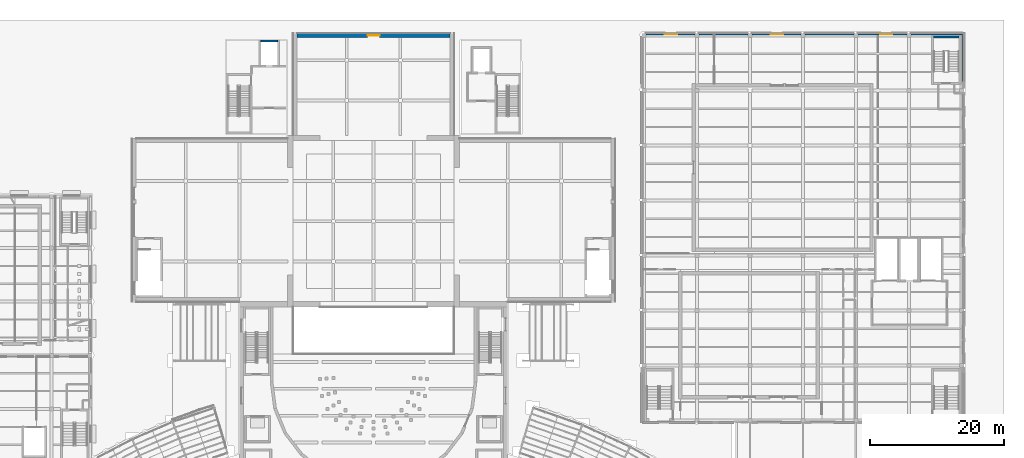
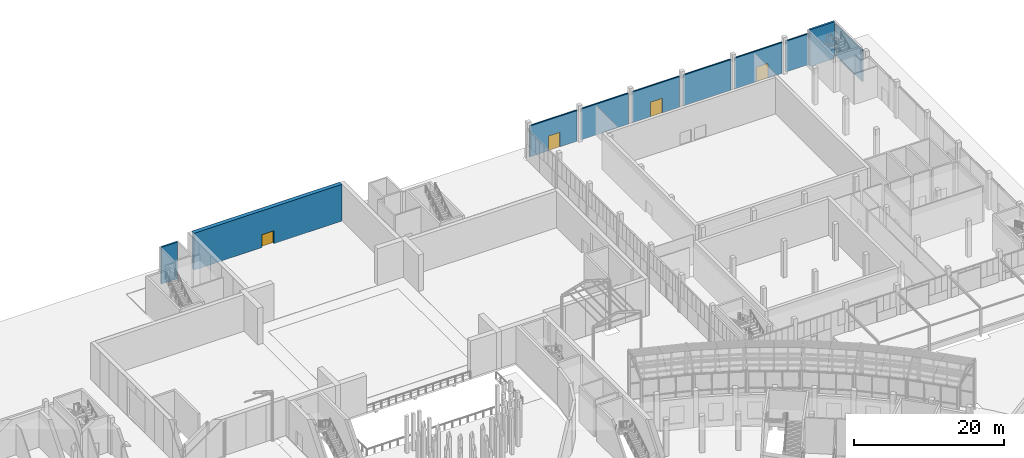
# One storey, part 104 of 155: 10 walls, 4 doors, 4 openings.
"""IFC4 building model written with IfcOpenShell, lengths in metres."""

import ifcopenshell
import ifcopenshell.guid

model = None  # the IFC model being written
_history = None  # IfcOwnerHistory: only IFC2X3 demands one
_inside = {}  # id of a spatial element -> (the spatial element, [elements in it])
_under = {}  # id of a project, library or spatial element -> (it, [spatial elements below it])
_declared = {}  # id of a project -> (the project, [libraries it declares])
_typed = {}  # id of a type object -> (the type object, [elements of that type])
_made_of = {}  # id of a material, layer set ... -> (it, [elements and type objects made of it])


def new_model(schema):
    """Start an empty IFC model of exactly this schema.

    Asked for "IFC4X3", IfcOpenShell would pick the latest addendum, in which some entities
    have other attributes; the version numbers below select the first issue.
    IFC2X3 requires an IfcOwnerHistory on every rooted entity: one is made here for all.
    """
    global model, _history
    if schema == "IFC4X3":
        model = ifcopenshell.file(schema_version=(4, 3, 0, 0))
    else:
        model = ifcopenshell.file(schema=schema)
    _inside.clear()
    _under.clear()
    _declared.clear()
    _typed.clear()
    _made_of.clear()
    _history = None
    if model.schema == "IFC2X3":
        org = make("IfcOrganization", Name="unknown")
        user = make(
            "IfcPersonAndOrganization",
            ThePerson=make("IfcPerson", FamilyName="unknown"),
            TheOrganization=org,
        )
        app = make(
            "IfcApplication",
            ApplicationDeveloper=org,
            Version="unknown",
            ApplicationFullName="unknown",
            ApplicationIdentifier="unknown",
        )
        _history = make(
            "IfcOwnerHistory",
            OwningUser=user,
            OwningApplication=app,
            ChangeAction="ADDED",
            CreationDate=0,
        )
    return model


def make(cls, **values):
    """One entity of the class cls with the attributes given. An attribute that is None is left unset."""
    return model.create_entity(
        cls, **{name: value for name, value in values.items() if value is not None}
    )


def rooted(cls, **values):
    """An entity with a GlobalId (a new one), such as an element, a storey or a relation."""
    return make(cls, GlobalId=ifcopenshell.guid.new(), OwnerHistory=_history, **values)


def si_unit(unit_type, name, prefix=None):
    """IfcSIUnit, for example si_unit("LENGTHUNIT", "METRE", prefix="MILLI")."""
    return make("IfcSIUnit", UnitType=unit_type, Prefix=prefix, Name=name)


def assignment(units):
    """IfcUnitAssignment: the units of a project."""
    return None if units is None else make("IfcUnitAssignment", Units=units)


def point(xyz):
    """IfcCartesianPoint."""
    return None if xyz is None else make("IfcCartesianPoint", Coordinates=xyz)


def direction(xyz):
    """IfcDirection."""
    return None if xyz is None else make("IfcDirection", DirectionRatios=xyz)


def frame(location, z_axis=None, x_axis=None):
    """IfcAxis2Placement3D, a coordinate frame: its origin and axes. An axis left out is left unset."""
    return make(
        "IfcAxis2Placement3D",
        Location=point(location),
        Axis=direction(z_axis),
        RefDirection=direction(x_axis),
    )


def frame_2d(location, x_axis=None):
    """IfcAxis2Placement2D, a coordinate frame in the plane: its origin and x axis."""
    return make(
        "IfcAxis2Placement2D", Location=point(location), RefDirection=direction(x_axis)
    )


def origin():
    """The frame at (0, 0, 0) with its axes left unset."""
    return frame((0.0, 0.0, 0.0))


def place(relative_to, where):
    """IfcLocalPlacement: puts the frame where relative to a parent placement (None: the world)."""
    return make(
        "IfcLocalPlacement", PlacementRelTo=relative_to, RelativePlacement=where
    )


def context(
    kind, dimensions, precision=None, world=None, true_north=None, identifier=None
):
    """IfcGeometricRepresentationContext, for example the 3D "Model" context."""
    return make(
        "IfcGeometricRepresentationContext",
        ContextIdentifier=identifier,
        ContextType=kind,
        CoordinateSpaceDimension=dimensions,
        Precision=precision,
        WorldCoordinateSystem=world,
        TrueNorth=true_north,
    )


def subcontext(parent, identifier, kind, view, scale=None):
    """IfcGeometricRepresentationSubContext, for example "Body" below "Model"."""
    return make(
        "IfcGeometricRepresentationSubContext",
        ContextIdentifier=identifier,
        ContextType=kind,
        ParentContext=parent,
        TargetScale=scale,
        TargetView=view,
    )


def project(units=None, contexts=None):
    """IfcProject with its units and contexts."""
    return rooted(
        "IfcProject",
        Name="project",
        RepresentationContexts=contexts,
        UnitsInContext=assignment(units),
    )


def spatial(cls, under=None, at=None, **own):
    """A site, building, storey or space (cls), placed at a placement, below another one or the project."""
    s = rooted(cls, ObjectPlacement=at, **own)
    if under is not None:
        _under.setdefault(under.id(), (under, []))[1].append(s)
    return s


def profile(cls, at=None, kind="AREA", **sizes):
    """A parametric profile (cls). Its sizes go by their IFC names, for example OverallWidth=200.0."""
    return make(cls, ProfileType=kind, Position=at, **sizes)


def rectangle(**sizes):
    """IfcRectangleProfileDef."""
    return profile("IfcRectangleProfileDef", **sizes)


def extrude(swept, where, along, depth):
    """IfcExtrudedAreaSolid: the profile swept, set in the frame where, extruded along a direction by depth."""
    return make(
        "IfcExtrudedAreaSolid",
        SweptArea=swept,
        Position=where,
        ExtrudedDirection=direction(along),
        Depth=depth,
    )


def shape(context_of_items, identifier, shape_type, items):
    """IfcShapeRepresentation: the items that make up one representation, for example the "Body"."""
    return make(
        "IfcShapeRepresentation",
        ContextOfItems=context_of_items,
        RepresentationIdentifier=identifier,
        RepresentationType=shape_type,
        Items=items,
    )


def material(Name=None, Category=None):
    """IfcMaterial."""
    return make("IfcMaterial", Name=Name, Category=Category)


def layer(
    of_material, thickness, ventilated=None, Name=None, Category=None, Priority=None
):
    """IfcMaterialLayer: one layer of a wall or slab, of a material (None: an air gap)."""
    return make(
        "IfcMaterialLayer",
        Material=of_material,
        LayerThickness=thickness,
        IsVentilated=ventilated,
        Name=Name,
        Category=Category,
        Priority=Priority,
    )


def layer_set(layers, Name=None):
    """IfcMaterialLayerSet."""
    return make("IfcMaterialLayerSet", MaterialLayers=layers, LayerSetName=Name)


def made_of(thing, what):
    """Note that an element or type object is made of a material, layer set ...; save() writes the relation."""
    if what is not None:
        _made_of.setdefault(what.id(), (what, []))[1].append(thing)
    return thing


def type_object(cls, material=None, **own):
    """A type object (cls), such as IfcWallType, which elements share."""
    return made_of(rooted(cls, **own), material)


def element(
    cls,
    number,
    at=None,
    inside=None,
    cuts=None,
    type_object=None,
    material=None,
    context=None,
    identifier="Body",
    shape_type=None,
    held_by="IfcProductDefinitionShape",
    body=None,
    shapes=None,
    **own,
):
    """One element of the class cls, such as IfcWall. Its Tag is "e" and its number.

    at: its placement. inside: the storey or other place that contains it. cuts: it is an
    opening in that element (IfcRelVoidsElement). A single representation is given by context,
    identifier, shape_type and body (its items); several are given by shapes. held_by: the class
    of the entity that holds the representations. save() writes the other relations.
    """
    e = rooted(cls, Tag="e%d" % number, ObjectPlacement=at, **own)
    if body is not None:
        shapes = [shape(context, identifier, shape_type, body)]
    if shapes is not None:
        e.Representation = make(held_by, Representations=shapes)
    if inside is not None:
        _inside.setdefault(inside.id(), (inside, []))[1].append(e)
    if cuts is not None:
        rooted(
            "IfcRelVoidsElement", RelatingBuildingElement=cuts, RelatedOpeningElement=e
        )
    if type_object is not None:
        _typed.setdefault(type_object.id(), (type_object, []))[1].append(e)
    return made_of(e, material)


def fill(opening, filler):
    """IfcRelFillsElement: the door or window that sits in an opening."""
    return rooted(
        "IfcRelFillsElement",
        RelatingOpeningElement=opening,
        RelatedBuildingElement=filler,
    )


def aggregate(whole, parts):
    """IfcRelAggregates: a whole, such as a stair, and the parts it consists of."""
    return rooted("IfcRelAggregates", RelatingObject=whole, RelatedObjects=parts)


def save(model, path):
    """Write the relations noted so far, then the file.

    IfcRelAggregates (storeys below a building ...), IfcRelContainedInSpatialStructure (elements
    in a storey), IfcRelDefinesByType, IfcRelAssociatesMaterial and IfcRelDeclares: one each for
    every whole, place, type object, material and project.
    """
    for whole, parts in _under.values():
        aggregate(whole, parts)
    for where, things in _inside.values():
        rooted(
            "IfcRelContainedInSpatialStructure",
            RelatedElements=things,
            RelatingStructure=where,
        )
    for kind, things in _typed.values():
        rooted("IfcRelDefinesByType", RelatedObjects=things, RelatingType=kind)
    for what, things in _made_of.values():
        rooted("IfcRelAssociatesMaterial", RelatedObjects=things, RelatingMaterial=what)
    for by, libraries in _declared.values():
        rooted("IfcRelDeclares", RelatingContext=by, RelatedDefinitions=libraries)
    model.write(path)


model = new_model("IFC4")

# Units and contexts
model_context = context("Model", 3, precision=1e-05, world=origin(), true_north=direction((0.0, 1.0)))
body_context = subcontext(model_context, "Body", "Model", "MODEL_VIEW")
ifc_project = project(units=[si_unit("LENGTHUNIT", "METRE"), si_unit("AREAUNIT", "SQUARE_METRE"), si_unit("VOLUMEUNIT", "CUBIC_METRE"), si_unit("PLANEANGLEUNIT", "RADIAN"), si_unit("MASSUNIT", "GRAM", prefix="KILO")], contexts=[model_context])

# Site, building, storey
site_placement = place(None, origin())
site = spatial("IfcSite", under=ifc_project, at=site_placement, CompositionType="ELEMENT")
building_placement = place(site_placement, origin())
building = spatial("IfcBuilding", under=site, at=building_placement, Name="Lunette Opera House", CompositionType="ELEMENT")
storey_placement = place(building_placement, origin())
storey = spatial("IfcBuildingStorey", under=building, at=storey_placement, Name="L00", CompositionType="ELEMENT", Elevation=0.0)

# Walls
ifc_material_1 = material(Name="Concrete C35/45", Category="concrete")
ifc_layer_1 = layer(ifc_material_1, 0.25)
ifc_layer_set_1 = layer_set([ifc_layer_1], Name="Concrete C35/45")
wall_type_1 = type_object("IfcWallType", Name="RC LIFT SHAFT WALL 250", PredefinedType="SOLIDWALL", material=ifc_layer_set_1)
wall_1_placement = place(storey_placement, frame((81.699951171875, 134.875, 0.0), z_axis=(0.0, 0.0, 1.0), x_axis=(-1.0, 0.0, 0.0)))
element("IfcWall", 1, at=wall_1_placement, inside=storey, type_object=wall_type_1, Name="LF7 shaft wall 2", PredefinedType="SOLIDWALL", context=body_context, shape_type="SweptSolid", body=[
    extrude(rectangle(XDim=2.5, YDim=0.25, at=frame_2d((1.25, 0.0))), origin(), (0.0, 0.0, 1.0), 6.0),
])
ifc_material_2 = material(Name="Concrete C35/45", Category="concrete")
ifc_layer_2 = layer(ifc_material_2, 0.300048828125)
ifc_layer_set_2 = layer_set([ifc_layer_2], Name="Concrete C35/45")
wall_type_2 = type_object("IfcWallType", Name="RC STAIR ENCLOSURE WALL 300", PredefinedType="SOLIDWALL", material=ifc_layer_set_2)
wall_2_placement = place(storey_placement, frame((183.300048828125, 135.449951171875, 0.0), z_axis=(0.0, 0.0, 1.0), x_axis=(-1.0, 0.0, 0.0)))
element("IfcWall", 2, at=wall_2_placement, inside=storey, type_object=wall_type_2, Name="ST19 enclosure wall 2", PredefinedType="SOLIDWALL", context=body_context, shape_type="SweptSolid", body=[
    extrude(rectangle(XDim=3.800048828125, YDim=0.300048828125, at=frame_2d((1.89990234375, 0.0))), origin(), (0.0, 0.0, 1.0), 6.0),
])

# Wall, opening, door
ifc_material_3 = material(Name="Concrete C35/45", Category="concrete")
ifc_layer_3 = layer(ifc_material_3, 0.60009765625)
ifc_layer_set_3 = layer_set([ifc_layer_3], Name="Concrete C35/45")
wall_type_3 = type_object("IfcWallType", Name="RC WALL 600", PredefinedType="SHEAR", material=ifc_layer_set_3)
wall_3_placement = place(storey_placement, frame((84.60009765625, 135.699951171875, 0.0), z_axis=(0.0, 0.0, 1.0), x_axis=(1.0, 0.0, 0.0)))
wall_3 = element("IfcWall", 3, at=wall_3_placement, inside=storey, type_object=wall_type_3, Name="wall-ST-L00-SR-N-1", PredefinedType="SHEAR", context=body_context, shape_type="SweptSolid", body=[
    extrude(rectangle(XDim=22.7998046875, YDim=0.60009765625, at=frame_2d((11.39990234375, 0.0))), origin(), (0.0, 0.0, 1.0), 6.0),
])
opening_1_placement = place(wall_3_placement, frame((10.5, 0.0, 0.0)))
opening_1 = element("IfcOpeningElement", 4, at=opening_1_placement, cuts=wall_3, Name="Opening ST-D2003", PredefinedType="OPENING", context=body_context, shape_type="SweptSolid", body=[
    extrude(rectangle(XDim=1.800048828125, YDim=2.10009765625, at=frame_2d((0.89990234375, 1.050048828125))), frame((0.0, 0.31201171875, 0.0), z_axis=(0.0, -1.0, 0.0), x_axis=(1.0, 0.0, 0.0)), (0.0, 0.0, 1.0), 0.6240234375),
])
ifc_material_4 = material(Name="Powder-coated steel", Category="steel")
door_type_1 = type_object("IfcDoorType", Name="ARTISTS DOOR 1800 X 2100", OperationType="DOUBLE_DOOR_DOUBLE_SWING", PredefinedType="DOOR", material=ifc_material_4)
door_1_placement = place(opening_1_placement, origin())
door_1 = element("IfcDoor", 5, at=door_1_placement, inside=storey, type_object=door_type_1, Name="Artists Door 1800 X 2100 SR-N-AE L00", OperationType="DOUBLE_DOOR_DOUBLE_SWING", OverallHeight=2.10009765625, OverallWidth=1.800048828125, PredefinedType="DOOR", context=body_context, shape_type="SweptSolid", body=[
    extrude(rectangle(XDim=1.800048828125, YDim=2.10009765625, at=frame_2d((0.89990234375, 1.050048828125))), frame((0.0, 0.02490234375, 0.0), z_axis=(0.0, -1.0, 0.0), x_axis=(1.0, 0.0, 0.0)), (0.0, 0.0, 1.0), 0.050048828125),
])
fill(opening_1, door_1)

# Wall
ifc_material_5 = material(Name="Insulated aluminium sandwich panel", Category="aluminium")
ifc_layer_4 = layer(ifc_material_5, 0.199951171875)
ifc_layer_set_4 = layer_set([ifc_layer_4], Name="Insulated aluminium sandwich panel")
wall_type_4 = type_object("IfcWallType", Name="WORKSHOP METAL PANEL WALL 200", PredefinedType="SOLIDWALL", material=ifc_layer_set_4)
wall_4_placement = place(storey_placement, frame((183.800048828125, 135.89990234375, 0.0), z_axis=(0.0, 0.0, 1.0), x_axis=(-1.0, 0.0, 0.0)))
element("IfcWall", 6, at=wall_4_placement, inside=storey, type_object=wall_type_4, Name="Workshop Metal Panel Wall 200 F01 L00", PredefinedType="SOLIDWALL", context=body_context, shape_type="SweptSolid", body=[
    extrude(rectangle(XDim=7.699951171875, YDim=0.199951171875, at=frame_2d((3.85009765625, 0.0))), origin(), (0.0, 0.0, 1.0), 5.050048828125),
])

# Wall, opening, door
wall_5_placement = place(storey_placement, frame((175.5, 135.89990234375, 0.0), z_axis=(0.0, 0.0, 1.0), x_axis=(-1.0, 0.0, 0.0)))
wall_5 = element("IfcWall", 7, at=wall_5_placement, inside=storey, type_object=wall_type_4, Name="Workshop Metal Panel Wall 200 F02 L00", PredefinedType="SOLIDWALL", context=body_context, shape_type="SweptSolid", body=[
    extrude(rectangle(XDim=7.300048828125, YDim=0.199951171875, at=frame_2d((3.64990234375, 0.0))), origin(), (0.0, 0.0, 1.0), 5.050048828125),
])
opening_2_placement = place(wall_5_placement, frame((2.14990234375, 0.0, 0.0)))
opening_2 = element("IfcOpeningElement", 8, at=opening_2_placement, cuts=wall_5, Name="Opening WW-D2009", PredefinedType="OPENING", context=body_context, shape_type="SweptSolid", body=[
    extrude(rectangle(XDim=1.800048828125, YDim=2.39990234375, at=frame_2d((0.89990234375, 1.199951171875))), frame((0.0, 0.112060546875, 0.0), z_axis=(0.0, -1.0, 0.0), x_axis=(1.0, 0.0, 0.0)), (0.0, 0.0, 1.0), 0.223876953125),
])
ifc_material_6 = material(Name="Powder-coated steel", Category="steel")
door_type_2 = type_object("IfcDoorType", Name="EXIT DOUBLE DOOR 1800 X 2400", OperationType="DOUBLE_DOOR_DOUBLE_SWING", PredefinedType="DOOR", material=ifc_material_6)
door_2_placement = place(opening_2_placement, origin())
door_2 = element("IfcDoor", 9, at=door_2_placement, inside=storey, type_object=door_type_2, Name="Exit Double Door 1800 X 2400 WWXD1 L00", OperationType="DOUBLE_DOOR_DOUBLE_SWING", OverallHeight=2.39990234375, OverallWidth=1.800048828125, PredefinedType="DOOR", context=body_context, shape_type="SweptSolid", body=[
    extrude(rectangle(XDim=1.800048828125, YDim=2.39990234375, at=frame_2d((0.89990234375, 1.199951171875))), frame((0.0, 0.02490234375, 0.0), z_axis=(0.0, -1.0, 0.0), x_axis=(1.0, 0.0, 0.0)), (0.0, 0.0, 1.0), 0.050048828125),
])
fill(opening_2, door_2)

# Wall
wall_6_placement = place(storey_placement, frame((167.60009765625, 135.89990234375, 0.0), z_axis=(0.0, 0.0, 1.0), x_axis=(-1.0, 0.0, 0.0)))
element("IfcWall", 10, at=wall_6_placement, inside=storey, type_object=wall_type_4, Name="Workshop Metal Panel Wall 200 F03 L00", PredefinedType="SOLIDWALL", context=body_context, shape_type="SweptSolid", body=[
    extrude(rectangle(XDim=7.300048828125, YDim=0.199951171875, at=frame_2d((3.64990234375, 0.0))), origin(), (0.0, 0.0, 1.0), 5.050048828125),
])

# Wall, opening, door
wall_7_placement = place(storey_placement, frame((159.699951171875, 135.89990234375, 0.0), z_axis=(0.0, 0.0, 1.0), x_axis=(-1.0, 0.0, 0.0)))
wall_7 = element("IfcWall", 11, at=wall_7_placement, inside=storey, type_object=wall_type_4, Name="Workshop Metal Panel Wall 200 F04 L00", PredefinedType="SOLIDWALL", context=body_context, shape_type="SweptSolid", body=[
    extrude(rectangle(XDim=7.300048828125, YDim=0.199951171875, at=frame_2d((3.64990234375, 0.0))), origin(), (0.0, 0.0, 1.0), 5.050048828125),
])
opening_3_placement = place(wall_7_placement, frame((2.64990234375, 0.0, 0.0)))
opening_3 = element("IfcOpeningElement", 12, at=opening_3_placement, cuts=wall_7, Name="Opening WW-D2010", PredefinedType="OPENING", context=body_context, shape_type="SweptSolid", body=[
    extrude(rectangle(XDim=1.800048828125, YDim=2.39990234375, at=frame_2d((0.89990234375, 1.199951171875))), frame((0.0, 0.112060546875, 0.0), z_axis=(0.0, -1.0, 0.0), x_axis=(1.0, 0.0, 0.0)), (0.0, 0.0, 1.0), 0.223876953125),
])
door_3_placement = place(opening_3_placement, origin())
door_3 = element("IfcDoor", 13, at=door_3_placement, inside=storey, type_object=door_type_2, Name="Exit Double Door 1800 X 2400 WWXD2 L00", OperationType="DOUBLE_DOOR_DOUBLE_SWING", OverallHeight=2.39990234375, OverallWidth=1.800048828125, PredefinedType="DOOR", context=body_context, shape_type="SweptSolid", body=[
    extrude(rectangle(XDim=1.800048828125, YDim=2.39990234375, at=frame_2d((0.89990234375, 1.199951171875))), frame((0.0, 0.02490234375, 0.0), z_axis=(0.0, -1.0, 0.0), x_axis=(1.0, 0.0, 0.0)), (0.0, 0.0, 1.0), 0.050048828125),
])
fill(opening_3, door_3)

# Wall
wall_8_placement = place(storey_placement, frame((151.800048828125, 135.89990234375, 0.0), z_axis=(0.0, 0.0, 1.0), x_axis=(-1.0, 0.0, 0.0)))
element("IfcWall", 14, at=wall_8_placement, inside=storey, type_object=wall_type_4, Name="Workshop Metal Panel Wall 200 F05 L00", PredefinedType="SOLIDWALL", context=body_context, shape_type="SweptSolid", body=[
    extrude(rectangle(XDim=7.300048828125, YDim=0.199951171875, at=frame_2d((3.64990234375, 0.0))), origin(), (0.0, 0.0, 1.0), 5.050048828125),
])

# Wall, opening, door
wall_9_placement = place(storey_placement, frame((143.89990234375, 135.89990234375, 0.0), z_axis=(0.0, 0.0, 1.0), x_axis=(-1.0, 0.0, 0.0)))
wall_9 = element("IfcWall", 15, at=wall_9_placement, inside=storey, type_object=wall_type_4, Name="Workshop Metal Panel Wall 200 F06 L00", PredefinedType="SOLIDWALL", context=body_context, shape_type="SweptSolid", body=[
    extrude(rectangle(XDim=7.2998046875, YDim=0.199951171875, at=frame_2d((3.64990234375, 0.0))), origin(), (0.0, 0.0, 1.0), 5.050048828125),
])
opening_4_placement = place(wall_9_placement, frame((2.64990234375, 0.0, 0.0)))
opening_4 = element("IfcOpeningElement", 16, at=opening_4_placement, cuts=wall_9, Name="Opening WW-D2011", PredefinedType="OPENING", context=body_context, shape_type="SweptSolid", body=[
    extrude(rectangle(XDim=1.800048828125, YDim=2.39990234375, at=frame_2d((0.89990234375, 1.199951171875))), frame((0.0, 0.112060546875, 0.0), z_axis=(0.0, -1.0, 0.0), x_axis=(1.0, 0.0, 0.0)), (0.0, 0.0, 1.0), 0.223876953125),
])
door_4_placement = place(opening_4_placement, origin())
door_4 = element("IfcDoor", 17, at=door_4_placement, inside=storey, type_object=door_type_2, Name="Exit Double Door 1800 X 2400 WWXD3 L00", OperationType="DOUBLE_DOOR_DOUBLE_SWING", OverallHeight=2.39990234375, OverallWidth=1.800048828125, PredefinedType="DOOR", context=body_context, shape_type="SweptSolid", body=[
    extrude(rectangle(XDim=1.800048828125, YDim=2.39990234375, at=frame_2d((0.89990234375, 1.199951171875))), frame((0.0, 0.02490234375, 0.0), z_axis=(0.0, -1.0, 0.0), x_axis=(1.0, 0.0, 0.0)), (0.0, 0.0, 1.0), 0.050048828125),
])
fill(opening_4, door_4)

# Wall
wall_10_placement = place(storey_placement, frame((183.89990234375, 128.77490234375, 0.0), z_axis=(0.0, 0.0, 1.0), x_axis=(0.0, 1.0, 0.0)))
element("IfcWall", 18, at=wall_10_placement, inside=storey, type_object=wall_type_4, Name="Workshop Metal Panel Wall 200 F28 L00", PredefinedType="SOLIDWALL", context=body_context, shape_type="SweptSolid", body=[
    extrude(rectangle(XDim=7.22509765625, YDim=0.199951171875, at=frame_2d((3.612548828125, 0.0))), origin(), (0.0, 0.0, 1.0), 5.050048828125),
])

save(model, "model.ifc")
